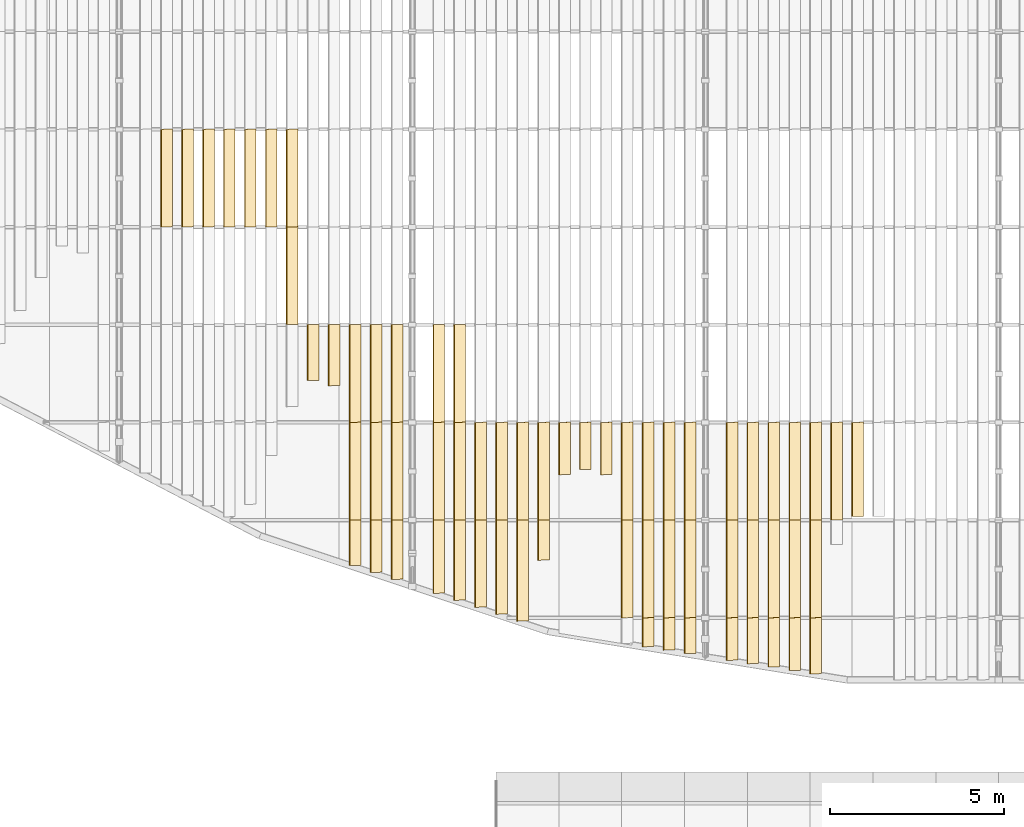
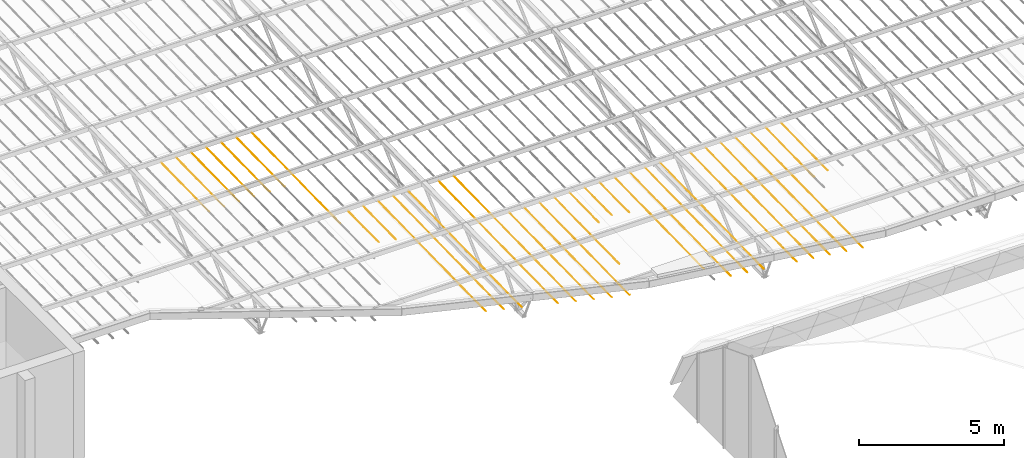
# One storey, part 116 of 129: 64 coverings.
"""IFC4 building model written with IfcOpenShell, lengths in metres."""

from ifc_helpers import new_model, si_unit, direction, frame, origin, place, context, subcontext, project, spatial, polyline, outline, extrude, material, material_profile, profile_set, type_object, element, save


model = new_model("IFC4")

# Units and contexts
model_context = context("Model", 3, precision=1e-05, world=origin(), true_north=direction((0.0, 1.0)))
body_context = subcontext(model_context, "Body", "Model", "MODEL_VIEW")
ifc_project = project(units=[si_unit("LENGTHUNIT", "METRE"), si_unit("AREAUNIT", "SQUARE_METRE"), si_unit("VOLUMEUNIT", "CUBIC_METRE"), si_unit("PLANEANGLEUNIT", "RADIAN"), si_unit("MASSUNIT", "GRAM", prefix="KILO")], contexts=[model_context])

# Site, building, storey
site_placement = place(None, origin())
site = spatial("IfcSite", under=ifc_project, at=site_placement, CompositionType="ELEMENT")
building_placement = place(site_placement, origin())
building = spatial("IfcBuilding", under=site, at=building_placement, Name="Ardhachandra Cancer Care Centre", CompositionType="ELEMENT")
storey_placement = place(building_placement, frame((0.0, 0.0, 4.5)))
storey = spatial("IfcBuildingStorey", under=building, at=storey_placement, Name="L01", CompositionType="ELEMENT", Elevation=4.5)

# Coverings
ifc_material = material(Name="Anodised aluminium", Category="aluminium")
ifc_material_profile = material_profile(ifc_material, outline(polyline([(-0.01220703125, 0.0), (0.01220703125, 0.0), (0.327392578125, -0.449951171875), (0.302978515625, -0.449951171875), (-0.01220703125, 0.0)])), Name="Louvre fin 450")
ifc_profile_set = profile_set([ifc_material_profile], Name="Anodised aluminium")
covering_type = type_object("IfcCoveringType", Name="Louvre fin 450", PredefinedType="CLADDING", material=ifc_profile_set)
for number, where, z_axis, x_axis, name in (
    (1, (54.0, 40.175048828125, 2.46337890625), (0.0, -0.999800721691, -0.019962888244), (1.0, 0.0, 0.0), "Louvre fin 16-6"),
    (2, (54.60009765625, 40.175048828125, 2.46337890625), (0.0, -0.999800721691, -0.019962888244), (1.0, 0.0, 0.0), "Louvre fin 17-6"),
    (3, (55.199951171875, 40.175048828125, 2.46337890625), (0.0, -0.999800721691, -0.019962888244), (1.0, 0.0, 0.0), "Louvre fin 18-6"),
    (4, (55.800048828125, 40.175048828125, 2.46337890625), (0.0, -0.999800721691, -0.019962888244), (1.0, 0.0, 0.0), "Louvre fin 19-6"),
    (5, (56.39990234375, 40.175048828125, 2.46337890625), (0.0, -0.999800721691, -0.019962888244), (1.0, 0.0, 0.0), "Louvre fin 20-6"),
    (6, (57.0, 40.175048828125, 2.46337890625), (0.0, -0.999800721691, -0.019962888244), (1.0, 0.0, 0.0), "Louvre fin 21-6"),
    (7, (57.60009765625, 40.175048828125, 2.46337890625), (0.0, -0.999800721691, -0.019962888244), (1.0, 0.0, 0.0), "Louvre fin 22-6"),
    (8, (57.60009765625, 37.375, 2.407470703125), (0.0, -0.999800721691, -0.019962888244), (1.0, 0.0, 0.0), "Louvre fin 22-7"),
):
    element("IfcCovering", number, at=place(storey_placement, frame(where, z_axis=z_axis, x_axis=x_axis)), inside=storey, type_object=covering_type, Name=name, PredefinedType="CLADDING", context=body_context, shape_type="SweptSolid", body=[
        extrude(outline(polyline([(-0.01220703125, 0.0), (0.01220703125, 0.0), (0.327392578125, -0.449951171875), (0.302978515625, -0.449951171875), (-0.01220703125, 0.0)])), origin(), (0.0, 0.0, 1.0), 2.800537109375),
    ])
covering_1_placement = place(storey_placement, frame((58.199951171875, 34.574951171875, 2.3515625), z_axis=(0.0, -0.999800242951, -0.019986850576), x_axis=(1.0, 0.0, 0.0)))
element("IfcCovering", 9, at=covering_1_placement, inside=storey, type_object=covering_type, Name="Louvre fin 23-8", PredefinedType="CLADDING", context=body_context, shape_type="SweptSolid", body=[
    extrude(outline(polyline([(-0.01220703125, 0.0), (0.01220703125, 0.0), (0.327392578125, -0.449951171875), (0.302978515625, -0.449951171875), (-0.01220703125, 0.0)])), origin(), (0.0, 0.0, 1.0), 1.60009765625),
])
covering_2_placement = place(storey_placement, frame((58.800048828125, 34.574951171875, 2.3515625), z_axis=(0.0, -0.999798271358, -0.02008523313), x_axis=(1.0, 0.0, 0.0)))
element("IfcCovering", 10, at=covering_2_placement, inside=storey, type_object=covering_type, Name="Louvre fin 24-8", PredefinedType="CLADDING", context=body_context, shape_type="SweptSolid", body=[
    extrude(outline(polyline([(-0.01220703125, 0.0), (0.01220703125, 0.0), (0.327392578125, -0.449951171875), (0.302978515625, -0.449951171875), (-0.01220703125, 0.0)])), origin(), (0.0, 0.0, 1.0), 1.750244140625),
])
covering_3_placement = place(storey_placement, frame((59.39990234375, 34.574951171875, 2.3515625), z_axis=(0.0, -0.999798977995, -0.02005002746), x_axis=(1.0, 0.0, 0.0)))
element("IfcCovering", 11, at=covering_3_placement, inside=storey, type_object=covering_type, Name="Louvre fin 25-8", PredefinedType="CLADDING", context=body_context, shape_type="SweptSolid", body=[
    extrude(outline(polyline([(-0.01220703125, 0.0), (0.01220703125, 0.0), (0.327392578125, -0.449951171875), (0.302978515625, -0.449951171875), (-0.01220703125, 0.0)])), origin(), (0.0, 0.0, 1.0), 2.800537109375),
])
covering_4_placement = place(storey_placement, frame((59.39990234375, 31.77490234375, 2.29541015625), z_axis=(0.0, -0.999800686946, -0.019964628297), x_axis=(1.0, 0.0, 0.0)))
element("IfcCovering", 12, at=covering_4_placement, inside=storey, type_object=covering_type, Name="Louvre fin 25-9", PredefinedType="CLADDING", context=body_context, shape_type="SweptSolid", body=[
    extrude(outline(polyline([(-0.01220703125, 0.0), (0.01220703125, 0.0), (0.327392578125, -0.449951171875), (0.302978515625, -0.449951171875), (-0.01220703125, 0.0)])), origin(), (0.0, 0.0, 1.0), 2.80029296875),
])
covering_5_placement = place(storey_placement, frame((59.39990234375, 28.97509765625, 2.239501953125), z_axis=(0.0, -0.999798178772, -0.020089841339), x_axis=(1.0, 0.0, 0.0)))
element("IfcCovering", 13, at=covering_5_placement, inside=storey, type_object=covering_type, Name="Louvre fin 25-10", PredefinedType="CLADDING", context=body_context, shape_type="SweptSolid", body=[
    extrude(outline(polyline([(-0.01220703125, 0.0), (0.01220703125, 0.0), (0.327392578125, -0.449951171875), (0.302978515625, -0.449951171875), (-0.01220703125, 0.0)])), origin(), (0.0, 0.0, 1.0), 1.30029296875),
])
covering_6_placement = place(storey_placement, frame((60.0, 34.574951171875, 2.3515625), z_axis=(0.0, -0.999798977995, -0.02005002746), x_axis=(1.0, 0.0, 0.0)))
element("IfcCovering", 14, at=covering_6_placement, inside=storey, type_object=covering_type, Name="Louvre fin 26-8", PredefinedType="CLADDING", context=body_context, shape_type="SweptSolid", body=[
    extrude(outline(polyline([(-0.01220703125, 0.0), (0.01220703125, 0.0), (0.327392578125, -0.449951171875), (0.302978515625, -0.449951171875), (-0.01220703125, 0.0)])), origin(), (0.0, 0.0, 1.0), 2.800537109375),
])
covering_7_placement = place(storey_placement, frame((60.0, 31.77490234375, 2.29541015625), z_axis=(0.0, -0.999800686946, -0.019964628297), x_axis=(1.0, 0.0, 0.0)))
element("IfcCovering", 15, at=covering_7_placement, inside=storey, type_object=covering_type, Name="Louvre fin 26-9", PredefinedType="CLADDING", context=body_context, shape_type="SweptSolid", body=[
    extrude(outline(polyline([(-0.01220703125, 0.0), (0.01220703125, 0.0), (0.327392578125, -0.449951171875), (0.302978515625, -0.449951171875), (-0.01220703125, 0.0)])), origin(), (0.0, 0.0, 1.0), 2.80029296875),
])
covering_8_placement = place(storey_placement, frame((60.0, 28.97509765625, 2.239501953125), z_axis=(0.0, -0.999799604191, -0.020018777684), x_axis=(1.0, 0.0, 0.0)))
element("IfcCovering", 16, at=covering_8_placement, inside=storey, type_object=covering_type, Name="Louvre fin 26-10", PredefinedType="CLADDING", context=body_context, shape_type="SweptSolid", body=[
    extrude(outline(polyline([(-0.01220703125, 0.0), (0.01220703125, 0.0), (0.327392578125, -0.449951171875), (0.302978515625, -0.449951171875), (-0.01220703125, 0.0)])), origin(), (0.0, 0.0, 1.0), 1.5),
])
covering_9_placement = place(storey_placement, frame((60.60009765625, 34.574951171875, 2.3515625), z_axis=(0.0, -0.999798977995, -0.02005002746), x_axis=(1.0, 0.0, 0.0)))
element("IfcCovering", 17, at=covering_9_placement, inside=storey, type_object=covering_type, Name="Louvre fin 27-8", PredefinedType="CLADDING", context=body_context, shape_type="SweptSolid", body=[
    extrude(outline(polyline([(-0.01220703125, 0.0), (0.01220703125, 0.0), (0.327392578125, -0.449951171875), (0.302978515625, -0.449951171875), (-0.01220703125, 0.0)])), origin(), (0.0, 0.0, 1.0), 2.800537109375),
])
covering_10_placement = place(storey_placement, frame((60.60009765625, 31.77490234375, 2.29541015625), z_axis=(0.0, -0.999800686946, -0.019964628297), x_axis=(1.0, 0.0, 0.0)))
element("IfcCovering", 18, at=covering_10_placement, inside=storey, type_object=covering_type, Name="Louvre fin 27-9", PredefinedType="CLADDING", context=body_context, shape_type="SweptSolid", body=[
    extrude(outline(polyline([(-0.01220703125, 0.0), (0.01220703125, 0.0), (0.327392578125, -0.449951171875), (0.302978515625, -0.449951171875), (-0.01220703125, 0.0)])), origin(), (0.0, 0.0, 1.0), 2.80029296875),
])
covering_11_placement = place(storey_placement, frame((60.60009765625, 28.97509765625, 2.239501953125), z_axis=(0.0, -0.999800633936, -0.019967282775), x_axis=(1.0, 0.0, 0.0)))
element("IfcCovering", 19, at=covering_11_placement, inside=storey, type_object=covering_type, Name="Louvre fin 27-10", PredefinedType="CLADDING", context=body_context, shape_type="SweptSolid", body=[
    extrude(outline(polyline([(-0.01220703125, 0.0), (0.01220703125, 0.0), (0.327392578125, -0.449951171875), (0.302978515625, -0.449951171875), (-0.01220703125, 0.0)])), origin(), (0.0, 0.0, 1.0), 1.699462890625),
])
covering_12_placement = place(storey_placement, frame((61.800048828125, 34.574951171875, 2.3515625), z_axis=(0.0, -0.999798977995, -0.02005002746), x_axis=(1.0, 0.0, 0.0)))
element("IfcCovering", 20, at=covering_12_placement, inside=storey, type_object=covering_type, Name="Louvre fin 29-8", PredefinedType="CLADDING", context=body_context, shape_type="SweptSolid", body=[
    extrude(outline(polyline([(-0.01220703125, 0.0), (0.01220703125, 0.0), (0.327392578125, -0.449951171875), (0.302978515625, -0.449951171875), (-0.01220703125, 0.0)])), origin(), (0.0, 0.0, 1.0), 2.800537109375),
])
covering_13_placement = place(storey_placement, frame((61.800048828125, 31.77490234375, 2.29541015625), z_axis=(0.0, -0.999800686946, -0.019964628297), x_axis=(1.0, 0.0, 0.0)))
element("IfcCovering", 21, at=covering_13_placement, inside=storey, type_object=covering_type, Name="Louvre fin 29-9", PredefinedType="CLADDING", context=body_context, shape_type="SweptSolid", body=[
    extrude(outline(polyline([(-0.01220703125, 0.0), (0.01220703125, 0.0), (0.327392578125, -0.449951171875), (0.302978515625, -0.449951171875), (-0.01220703125, 0.0)])), origin(), (0.0, 0.0, 1.0), 2.80029296875),
])
covering_14_placement = place(storey_placement, frame((61.800048828125, 28.97509765625, 2.239501953125), z_axis=(0.0, -0.999799827359, -0.02000762889), x_axis=(1.0, 0.0, 0.0)))
element("IfcCovering", 22, at=covering_14_placement, inside=storey, type_object=covering_type, Name="Louvre fin 29-10", PredefinedType="CLADDING", context=body_context, shape_type="SweptSolid", body=[
    extrude(outline(polyline([(-0.01220703125, 0.0), (0.01220703125, 0.0), (0.327392578125, -0.449951171875), (0.302978515625, -0.449951171875), (-0.01220703125, 0.0)])), origin(), (0.0, 0.0, 1.0), 2.098876953125),
])
covering_15_placement = place(storey_placement, frame((62.39990234375, 34.574951171875, 2.3515625), z_axis=(0.0, -0.999798977995, -0.02005002746), x_axis=(1.0, 0.0, 0.0)))
element("IfcCovering", 23, at=covering_15_placement, inside=storey, type_object=covering_type, Name="Louvre fin 30-8", PredefinedType="CLADDING", context=body_context, shape_type="SweptSolid", body=[
    extrude(outline(polyline([(-0.01220703125, 0.0), (0.01220703125, 0.0), (0.327392578125, -0.449951171875), (0.302978515625, -0.449951171875), (-0.01220703125, 0.0)])), origin(), (0.0, 0.0, 1.0), 2.800537109375),
])
covering_16_placement = place(storey_placement, frame((62.39990234375, 31.77490234375, 2.29541015625), z_axis=(0.0, -0.999800686946, -0.019964628297), x_axis=(1.0, 0.0, 0.0)))
element("IfcCovering", 24, at=covering_16_placement, inside=storey, type_object=covering_type, Name="Louvre fin 30-9", PredefinedType="CLADDING", context=body_context, shape_type="SweptSolid", body=[
    extrude(outline(polyline([(-0.01220703125, 0.0), (0.01220703125, 0.0), (0.327392578125, -0.449951171875), (0.302978515625, -0.449951171875), (-0.01220703125, 0.0)])), origin(), (0.0, 0.0, 1.0), 2.80029296875),
])
covering_17_placement = place(storey_placement, frame((62.39990234375, 28.97509765625, 2.239501953125), z_axis=(0.0, -0.999800611695, -0.019968396367), x_axis=(1.0, 0.0, 0.0)))
element("IfcCovering", 25, at=covering_17_placement, inside=storey, type_object=covering_type, Name="Louvre fin 30-10", PredefinedType="CLADDING", context=body_context, shape_type="SweptSolid", body=[
    extrude(outline(polyline([(-0.01220703125, 0.0), (0.01220703125, 0.0), (0.327392578125, -0.449951171875), (0.302978515625, -0.449951171875), (-0.01220703125, 0.0)])), origin(), (0.0, 0.0, 1.0), 2.298583984375),
])
covering_18_placement = place(storey_placement, frame((63.0, 31.77490234375, 2.29541015625), z_axis=(0.0, -0.999800686946, -0.019964628297), x_axis=(1.0, 0.0, 0.0)))
element("IfcCovering", 26, at=covering_18_placement, inside=storey, type_object=covering_type, Name="Louvre fin 31-9", PredefinedType="CLADDING", context=body_context, shape_type="SweptSolid", body=[
    extrude(outline(polyline([(-0.01220703125, 0.0), (0.01220703125, 0.0), (0.327392578125, -0.449951171875), (0.302978515625, -0.449951171875), (-0.01220703125, 0.0)])), origin(), (0.0, 0.0, 1.0), 2.80029296875),
])
covering_19_placement = place(storey_placement, frame((63.0, 28.97509765625, 2.239501953125), z_axis=(0.0, -0.999799277672, -0.020035078389), x_axis=(1.0, 0.0, 0.0)))
element("IfcCovering", 27, at=covering_19_placement, inside=storey, type_object=covering_type, Name="Louvre fin 31-10", PredefinedType="CLADDING", context=body_context, shape_type="SweptSolid", body=[
    extrude(outline(polyline([(-0.01220703125, 0.0), (0.01220703125, 0.0), (0.327392578125, -0.449951171875), (0.302978515625, -0.449951171875), (-0.01220703125, 0.0)])), origin(), (0.0, 0.0, 1.0), 2.498046875),
])
covering_20_placement = place(storey_placement, frame((63.60009765625, 31.77490234375, 2.29541015625), z_axis=(0.0, -0.999800686946, -0.019964628297), x_axis=(1.0, 0.0, 0.0)))
element("IfcCovering", 28, at=covering_20_placement, inside=storey, type_object=covering_type, Name="Louvre fin 32-9", PredefinedType="CLADDING", context=body_context, shape_type="SweptSolid", body=[
    extrude(outline(polyline([(-0.01220703125, 0.0), (0.01220703125, 0.0), (0.327392578125, -0.449951171875), (0.302978515625, -0.449951171875), (-0.01220703125, 0.0)])), origin(), (0.0, 0.0, 1.0), 2.80029296875),
])
covering_21_placement = place(storey_placement, frame((63.60009765625, 28.97509765625, 2.239501953125), z_axis=(0.0, -0.999799987606, -0.019999619593), x_axis=(1.0, 0.0, 0.0)))
element("IfcCovering", 29, at=covering_21_placement, inside=storey, type_object=covering_type, Name="Louvre fin 32-10", PredefinedType="CLADDING", context=body_context, shape_type="SweptSolid", body=[
    extrude(outline(polyline([(-0.01220703125, 0.0), (0.01220703125, 0.0), (0.327392578125, -0.449951171875), (0.302978515625, -0.449951171875), (-0.01220703125, 0.0)])), origin(), (0.0, 0.0, 1.0), 2.69775390625),
])
covering_22_placement = place(storey_placement, frame((64.199951171875, 31.77490234375, 2.29541015625), z_axis=(0.0, -0.999800686946, -0.019964628297), x_axis=(1.0, 0.0, 0.0)))
element("IfcCovering", 30, at=covering_22_placement, inside=storey, type_object=covering_type, Name="Louvre fin 33-9", PredefinedType="CLADDING", context=body_context, shape_type="SweptSolid", body=[
    extrude(outline(polyline([(-0.01220703125, 0.0), (0.01220703125, 0.0), (0.327392578125, -0.449951171875), (0.302978515625, -0.449951171875), (-0.01220703125, 0.0)])), origin(), (0.0, 0.0, 1.0), 2.80029296875),
])
covering_23_placement = place(storey_placement, frame((64.199951171875, 28.97509765625, 2.239501953125), z_axis=(0.0, -0.999800565047, -0.019970731893), x_axis=(1.0, 0.0, 0.0)))
element("IfcCovering", 31, at=covering_23_placement, inside=storey, type_object=covering_type, Name="Louvre fin 33-10", PredefinedType="CLADDING", context=body_context, shape_type="SweptSolid", body=[
    extrude(outline(polyline([(-0.01220703125, 0.0), (0.01220703125, 0.0), (0.327392578125, -0.449951171875), (0.302978515625, -0.449951171875), (-0.01220703125, 0.0)])), origin(), (0.0, 0.0, 1.0), 2.897216796875),
])
covering_24_placement = place(storey_placement, frame((64.800048828125, 31.77490234375, 2.29541015625), z_axis=(0.0, -0.999800686946, -0.019964628297), x_axis=(1.0, 0.0, 0.0)))
element("IfcCovering", 32, at=covering_24_placement, inside=storey, type_object=covering_type, Name="Louvre fin 34-9", PredefinedType="CLADDING", context=body_context, shape_type="SweptSolid", body=[
    extrude(outline(polyline([(-0.01220703125, 0.0), (0.01220703125, 0.0), (0.327392578125, -0.449951171875), (0.302978515625, -0.449951171875), (-0.01220703125, 0.0)])), origin(), (0.0, 0.0, 1.0), 2.80029296875),
])
covering_25_placement = place(storey_placement, frame((64.800048828125, 28.97509765625, 2.239501953125), z_axis=(0.0, -0.999800992316, -0.019949329925), x_axis=(1.0, 0.0, 0.0)))
element("IfcCovering", 33, at=covering_25_placement, inside=storey, type_object=covering_type, Name="Louvre fin 34-10", PredefinedType="CLADDING", context=body_context, shape_type="SweptSolid", body=[
    extrude(outline(polyline([(-0.01220703125, 0.0), (0.01220703125, 0.0), (0.327392578125, -0.449951171875), (0.302978515625, -0.449951171875), (-0.01220703125, 0.0)])), origin(), (0.0, 0.0, 1.0), 1.150390625),
])
covering_26_placement = place(storey_placement, frame((65.39990234375, 31.77490234375, 2.29541015625), z_axis=(0.0, -0.999799669399, -0.020015520725), x_axis=(1.0, 0.0, 0.0)))
element("IfcCovering", 34, at=covering_26_placement, inside=storey, type_object=covering_type, Name="Louvre fin 35-9", PredefinedType="CLADDING", context=body_context, shape_type="SweptSolid", body=[
    extrude(outline(polyline([(-0.01220703125, 0.0), (0.01220703125, 0.0), (0.327392578125, -0.449951171875), (0.302978515625, -0.449951171875), (-0.01220703125, 0.0)])), origin(), (0.0, 0.0, 1.0), 1.500244140625),
])
covering_27_placement = place(storey_placement, frame((66.0, 31.77490234375, 2.29541015625), z_axis=(0.0, -0.999802151258, -0.019891162351), x_axis=(1.0, 0.0, 0.0)))
element("IfcCovering", 35, at=covering_27_placement, inside=storey, type_object=covering_type, Name="Louvre fin 36-9", PredefinedType="CLADDING", context=body_context, shape_type="SweptSolid", body=[
    extrude(outline(polyline([(-0.01220703125, 0.0), (0.01220703125, 0.0), (0.327392578125, -0.449951171875), (0.302978515625, -0.449951171875), (-0.01220703125, 0.0)])), origin(), (0.0, 0.0, 1.0), 1.35009765625),
])
covering_28_placement = place(storey_placement, frame((66.60009765625, 31.77490234375, 2.29541015625), z_axis=(0.0, -0.999799669399, -0.020015520725), x_axis=(1.0, 0.0, 0.0)))
element("IfcCovering", 36, at=covering_28_placement, inside=storey, type_object=covering_type, Name="Louvre fin 37-9", PredefinedType="CLADDING", context=body_context, shape_type="SweptSolid", body=[
    extrude(outline(polyline([(-0.01220703125, 0.0), (0.01220703125, 0.0), (0.327392578125, -0.449951171875), (0.302978515625, -0.449951171875), (-0.01220703125, 0.0)])), origin(), (0.0, 0.0, 1.0), 1.500244140625),
])
covering_29_placement = place(storey_placement, frame((67.199951171875, 31.77490234375, 2.29541015625), z_axis=(0.0, -0.999800686946, -0.019964628297), x_axis=(1.0, 0.0, 0.0)))
element("IfcCovering", 37, at=covering_29_placement, inside=storey, type_object=covering_type, Name="Louvre fin 38-9", PredefinedType="CLADDING", context=body_context, shape_type="SweptSolid", body=[
    extrude(outline(polyline([(-0.01220703125, 0.0), (0.01220703125, 0.0), (0.327392578125, -0.449951171875), (0.302978515625, -0.449951171875), (-0.01220703125, 0.0)])), origin(), (0.0, 0.0, 1.0), 2.80029296875),
])
covering_30_placement = place(storey_placement, frame((67.199951171875, 28.97509765625, 2.239501953125), z_axis=(0.0, -0.999800721691, -0.019962888244), x_axis=(1.0, 0.0, 0.0)))
element("IfcCovering", 38, at=covering_30_placement, inside=storey, type_object=covering_type, Name="Louvre fin 38-10", PredefinedType="CLADDING", context=body_context, shape_type="SweptSolid", body=[
    extrude(outline(polyline([(-0.01220703125, 0.0), (0.01220703125, 0.0), (0.327392578125, -0.449951171875), (0.302978515625, -0.449951171875), (-0.01220703125, 0.0)])), origin(), (0.0, 0.0, 1.0), 2.800537109375),
])
covering_31_placement = place(storey_placement, frame((67.800048828125, 31.77490234375, 2.29541015625), z_axis=(0.0, -0.999800686946, -0.019964628297), x_axis=(1.0, 0.0, 0.0)))
element("IfcCovering", 39, at=covering_31_placement, inside=storey, type_object=covering_type, Name="Louvre fin 39-9", PredefinedType="CLADDING", context=body_context, shape_type="SweptSolid", body=[
    extrude(outline(polyline([(-0.01220703125, 0.0), (0.01220703125, 0.0), (0.327392578125, -0.449951171875), (0.302978515625, -0.449951171875), (-0.01220703125, 0.0)])), origin(), (0.0, 0.0, 1.0), 2.80029296875),
])
covering_32_placement = place(storey_placement, frame((67.800048828125, 28.97509765625, 2.239501953125), z_axis=(0.0, -0.999800721691, -0.019962888244), x_axis=(1.0, 0.0, 0.0)))
element("IfcCovering", 40, at=covering_32_placement, inside=storey, type_object=covering_type, Name="Louvre fin 39-10", PredefinedType="CLADDING", context=body_context, shape_type="SweptSolid", body=[
    extrude(outline(polyline([(-0.01220703125, 0.0), (0.01220703125, 0.0), (0.327392578125, -0.449951171875), (0.302978515625, -0.449951171875), (-0.01220703125, 0.0)])), origin(), (0.0, 0.0, 1.0), 2.800537109375),
])
covering_33_placement = place(storey_placement, frame((67.800048828125, 26.175048828125, 2.18359375), z_axis=(0.0, -0.999799942352, -0.020001881753), x_axis=(1.0, 0.0, 0.0)))
element("IfcCovering", 41, at=covering_33_placement, inside=storey, type_object=covering_type, Name="Louvre fin 39-11", PredefinedType="CLADDING", context=body_context, shape_type="SweptSolid", body=[
    extrude(outline(polyline([(-0.01220703125, 0.0), (0.01220703125, 0.0), (0.327392578125, -0.449951171875), (0.302978515625, -0.449951171875), (-0.01220703125, 0.0)])), origin(), (0.0, 0.0, 1.0), 0.830078125),
])
covering_34_placement = place(storey_placement, frame((68.39990234375, 31.77490234375, 2.29541015625), z_axis=(0.0, -0.999800686946, -0.019964628297), x_axis=(1.0, 0.0, 0.0)))
element("IfcCovering", 42, at=covering_34_placement, inside=storey, type_object=covering_type, Name="Louvre fin 40-9", PredefinedType="CLADDING", context=body_context, shape_type="SweptSolid", body=[
    extrude(outline(polyline([(-0.01220703125, 0.0), (0.01220703125, 0.0), (0.327392578125, -0.449951171875), (0.302978515625, -0.449951171875), (-0.01220703125, 0.0)])), origin(), (0.0, 0.0, 1.0), 2.80029296875),
])
covering_35_placement = place(storey_placement, frame((68.39990234375, 28.97509765625, 2.239501953125), z_axis=(0.0, -0.999800721691, -0.019962888244), x_axis=(1.0, 0.0, 0.0)))
element("IfcCovering", 43, at=covering_35_placement, inside=storey, type_object=covering_type, Name="Louvre fin 40-10", PredefinedType="CLADDING", context=body_context, shape_type="SweptSolid", body=[
    extrude(outline(polyline([(-0.01220703125, 0.0), (0.01220703125, 0.0), (0.327392578125, -0.449951171875), (0.302978515625, -0.449951171875), (-0.01220703125, 0.0)])), origin(), (0.0, 0.0, 1.0), 2.800537109375),
])
covering_36_placement = place(storey_placement, frame((68.39990234375, 26.175048828125, 2.18359375), z_axis=(0.0, -0.999799744006, -0.020011793665), x_axis=(1.0, 0.0, 0.0)))
element("IfcCovering", 44, at=covering_36_placement, inside=storey, type_object=covering_type, Name="Louvre fin 40-11", PredefinedType="CLADDING", context=body_context, shape_type="SweptSolid", body=[
    extrude(outline(polyline([(-0.01220703125, 0.0), (0.01220703125, 0.0), (0.327392578125, -0.449951171875), (0.302978515625, -0.449951171875), (-0.01220703125, 0.0)])), origin(), (0.0, 0.0, 1.0), 0.92724609375),
])
covering_37_placement = place(storey_placement, frame((69.0, 31.77490234375, 2.29541015625), z_axis=(0.0, -0.999800686946, -0.019964628297), x_axis=(1.0, 0.0, 0.0)))
element("IfcCovering", 45, at=covering_37_placement, inside=storey, type_object=covering_type, Name="Louvre fin 41-9", PredefinedType="CLADDING", context=body_context, shape_type="SweptSolid", body=[
    extrude(outline(polyline([(-0.01220703125, 0.0), (0.01220703125, 0.0), (0.327392578125, -0.449951171875), (0.302978515625, -0.449951171875), (-0.01220703125, 0.0)])), origin(), (0.0, 0.0, 1.0), 2.80029296875),
])
covering_38_placement = place(storey_placement, frame((69.0, 28.97509765625, 2.239501953125), z_axis=(0.0, -0.999800721691, -0.019962888244), x_axis=(1.0, 0.0, 0.0)))
element("IfcCovering", 46, at=covering_38_placement, inside=storey, type_object=covering_type, Name="Louvre fin 41-10", PredefinedType="CLADDING", context=body_context, shape_type="SweptSolid", body=[
    extrude(outline(polyline([(-0.01220703125, 0.0), (0.01220703125, 0.0), (0.327392578125, -0.449951171875), (0.302978515625, -0.449951171875), (-0.01220703125, 0.0)])), origin(), (0.0, 0.0, 1.0), 2.800537109375),
])
covering_39_placement = place(storey_placement, frame((69.0, 26.175048828125, 2.18359375), z_axis=(0.0, -0.999799583224, -0.020019824789), x_axis=(1.0, 0.0, 0.0)))
element("IfcCovering", 47, at=covering_39_placement, inside=storey, type_object=covering_type, Name="Louvre fin 41-11", PredefinedType="CLADDING", context=body_context, shape_type="SweptSolid", body=[
    extrude(outline(polyline([(-0.01220703125, 0.0), (0.01220703125, 0.0), (0.327392578125, -0.449951171875), (0.302978515625, -0.449951171875), (-0.01220703125, 0.0)])), origin(), (0.0, 0.0, 1.0), 1.0244140625),
])
covering_40_placement = place(storey_placement, frame((70.199951171875, 31.77490234375, 2.29541015625), z_axis=(0.0, -0.999800686946, -0.019964628297), x_axis=(1.0, 0.0, 0.0)))
element("IfcCovering", 48, at=covering_40_placement, inside=storey, type_object=covering_type, Name="Louvre fin 43-9", PredefinedType="CLADDING", context=body_context, shape_type="SweptSolid", body=[
    extrude(outline(polyline([(-0.01220703125, 0.0), (0.01220703125, 0.0), (0.327392578125, -0.449951171875), (0.302978515625, -0.449951171875), (-0.01220703125, 0.0)])), origin(), (0.0, 0.0, 1.0), 2.80029296875),
])
covering_41_placement = place(storey_placement, frame((70.199951171875, 28.97509765625, 2.239501953125), z_axis=(0.0, -0.999800721691, -0.019962888244), x_axis=(1.0, 0.0, 0.0)))
element("IfcCovering", 49, at=covering_41_placement, inside=storey, type_object=covering_type, Name="Louvre fin 43-10", PredefinedType="CLADDING", context=body_context, shape_type="SweptSolid", body=[
    extrude(outline(polyline([(-0.01220703125, 0.0), (0.01220703125, 0.0), (0.327392578125, -0.449951171875), (0.302978515625, -0.449951171875), (-0.01220703125, 0.0)])), origin(), (0.0, 0.0, 1.0), 2.800537109375),
])
covering_42_placement = place(storey_placement, frame((70.199951171875, 26.175048828125, 2.18359375), z_axis=(0.0, -0.999799338465, -0.020032044449), x_axis=(1.0, 0.0, 0.0)))
element("IfcCovering", 50, at=covering_42_placement, inside=storey, type_object=covering_type, Name="Louvre fin 43-11", PredefinedType="CLADDING", context=body_context, shape_type="SweptSolid", body=[
    extrude(outline(polyline([(-0.01220703125, 0.0), (0.01220703125, 0.0), (0.327392578125, -0.449951171875), (0.302978515625, -0.449951171875), (-0.01220703125, 0.0)])), origin(), (0.0, 0.0, 1.0), 1.21875),
])
covering_43_placement = place(storey_placement, frame((70.800048828125, 31.77490234375, 2.29541015625), z_axis=(0.0, -0.999800686946, -0.019964628297), x_axis=(1.0, 0.0, 0.0)))
element("IfcCovering", 51, at=covering_43_placement, inside=storey, type_object=covering_type, Name="Louvre fin 44-9", PredefinedType="CLADDING", context=body_context, shape_type="SweptSolid", body=[
    extrude(outline(polyline([(-0.01220703125, 0.0), (0.01220703125, 0.0), (0.327392578125, -0.449951171875), (0.302978515625, -0.449951171875), (-0.01220703125, 0.0)])), origin(), (0.0, 0.0, 1.0), 2.80029296875),
])
covering_44_placement = place(storey_placement, frame((70.800048828125, 28.97509765625, 2.239501953125), z_axis=(0.0, -0.999800721691, -0.019962888244), x_axis=(1.0, 0.0, 0.0)))
element("IfcCovering", 52, at=covering_44_placement, inside=storey, type_object=covering_type, Name="Louvre fin 44-10", PredefinedType="CLADDING", context=body_context, shape_type="SweptSolid", body=[
    extrude(outline(polyline([(-0.01220703125, 0.0), (0.01220703125, 0.0), (0.327392578125, -0.449951171875), (0.302978515625, -0.449951171875), (-0.01220703125, 0.0)])), origin(), (0.0, 0.0, 1.0), 2.800537109375),
])
covering_45_placement = place(storey_placement, frame((70.800048828125, 26.175048828125, 2.18359375), z_axis=(0.0, -0.99979924316, -0.020036800568), x_axis=(1.0, 0.0, 0.0)))
element("IfcCovering", 53, at=covering_45_placement, inside=storey, type_object=covering_type, Name="Louvre fin 44-11", PredefinedType="CLADDING", context=body_context, shape_type="SweptSolid", body=[
    extrude(outline(polyline([(-0.01220703125, 0.0), (0.01220703125, 0.0), (0.327392578125, -0.449951171875), (0.302978515625, -0.449951171875), (-0.01220703125, 0.0)])), origin(), (0.0, 0.0, 1.0), 1.31591796875),
])
covering_46_placement = place(storey_placement, frame((71.39990234375, 31.77490234375, 2.29541015625), z_axis=(0.0, -0.999800686946, -0.019964628297), x_axis=(1.0, 0.0, 0.0)))
element("IfcCovering", 54, at=covering_46_placement, inside=storey, type_object=covering_type, Name="Louvre fin 45-9", PredefinedType="CLADDING", context=body_context, shape_type="SweptSolid", body=[
    extrude(outline(polyline([(-0.01220703125, 0.0), (0.01220703125, 0.0), (0.327392578125, -0.449951171875), (0.302978515625, -0.449951171875), (-0.01220703125, 0.0)])), origin(), (0.0, 0.0, 1.0), 2.80029296875),
])
covering_47_placement = place(storey_placement, frame((71.39990234375, 28.97509765625, 2.239501953125), z_axis=(0.0, -0.999800721691, -0.019962888244), x_axis=(1.0, 0.0, 0.0)))
element("IfcCovering", 55, at=covering_47_placement, inside=storey, type_object=covering_type, Name="Louvre fin 45-10", PredefinedType="CLADDING", context=body_context, shape_type="SweptSolid", body=[
    extrude(outline(polyline([(-0.01220703125, 0.0), (0.01220703125, 0.0), (0.327392578125, -0.449951171875), (0.302978515625, -0.449951171875), (-0.01220703125, 0.0)])), origin(), (0.0, 0.0, 1.0), 2.800537109375),
])
covering_48_placement = place(storey_placement, frame((71.39990234375, 26.175048828125, 2.18359375), z_axis=(0.0, -0.999799160946, -0.020040902483), x_axis=(1.0, 0.0, 0.0)))
element("IfcCovering", 56, at=covering_48_placement, inside=storey, type_object=covering_type, Name="Louvre fin 45-11", PredefinedType="CLADDING", context=body_context, shape_type="SweptSolid", body=[
    extrude(outline(polyline([(-0.01220703125, 0.0), (0.01220703125, 0.0), (0.327392578125, -0.449951171875), (0.302978515625, -0.449951171875), (-0.01220703125, 0.0)])), origin(), (0.0, 0.0, 1.0), 1.4130859375),
])
covering_49_placement = place(storey_placement, frame((72.0, 31.77490234375, 2.29541015625), z_axis=(0.0, -0.999800686946, -0.019964628297), x_axis=(1.0, 0.0, 0.0)))
element("IfcCovering", 57, at=covering_49_placement, inside=storey, type_object=covering_type, Name="Louvre fin 46-9", PredefinedType="CLADDING", context=body_context, shape_type="SweptSolid", body=[
    extrude(outline(polyline([(-0.01220703125, 0.0), (0.01220703125, 0.0), (0.327392578125, -0.449951171875), (0.302978515625, -0.449951171875), (-0.01220703125, 0.0)])), origin(), (0.0, 0.0, 1.0), 2.80029296875),
])
covering_50_placement = place(storey_placement, frame((72.0, 28.97509765625, 2.239501953125), z_axis=(0.0, -0.999800721691, -0.019962888244), x_axis=(1.0, 0.0, 0.0)))
element("IfcCovering", 58, at=covering_50_placement, inside=storey, type_object=covering_type, Name="Louvre fin 46-10", PredefinedType="CLADDING", context=body_context, shape_type="SweptSolid", body=[
    extrude(outline(polyline([(-0.01220703125, 0.0), (0.01220703125, 0.0), (0.327392578125, -0.449951171875), (0.302978515625, -0.449951171875), (-0.01220703125, 0.0)])), origin(), (0.0, 0.0, 1.0), 2.800537109375),
])
covering_51_placement = place(storey_placement, frame((72.0, 26.175048828125, 2.18359375), z_axis=(0.0, -0.999799089299, -0.020044476487), x_axis=(1.0, 0.0, 0.0)))
element("IfcCovering", 59, at=covering_51_placement, inside=storey, type_object=covering_type, Name="Louvre fin 46-11", PredefinedType="CLADDING", context=body_context, shape_type="SweptSolid", body=[
    extrude(outline(polyline([(-0.01220703125, 0.0), (0.01220703125, 0.0), (0.327392578125, -0.449951171875), (0.302978515625, -0.449951171875), (-0.01220703125, 0.0)])), origin(), (0.0, 0.0, 1.0), 1.51025390625),
])
covering_52_placement = place(storey_placement, frame((72.60009765625, 31.77490234375, 2.29541015625), z_axis=(0.0, -0.999800686946, -0.019964628297), x_axis=(1.0, 0.0, 0.0)))
element("IfcCovering", 60, at=covering_52_placement, inside=storey, type_object=covering_type, Name="Louvre fin 47-9", PredefinedType="CLADDING", context=body_context, shape_type="SweptSolid", body=[
    extrude(outline(polyline([(-0.01220703125, 0.0), (0.01220703125, 0.0), (0.327392578125, -0.449951171875), (0.302978515625, -0.449951171875), (-0.01220703125, 0.0)])), origin(), (0.0, 0.0, 1.0), 2.80029296875),
])
covering_53_placement = place(storey_placement, frame((72.60009765625, 28.97509765625, 2.239501953125), z_axis=(0.0, -0.999800721691, -0.019962888244), x_axis=(1.0, 0.0, 0.0)))
element("IfcCovering", 61, at=covering_53_placement, inside=storey, type_object=covering_type, Name="Louvre fin 47-10", PredefinedType="CLADDING", context=body_context, shape_type="SweptSolid", body=[
    extrude(outline(polyline([(-0.01220703125, 0.0), (0.01220703125, 0.0), (0.327392578125, -0.449951171875), (0.302978515625, -0.449951171875), (-0.01220703125, 0.0)])), origin(), (0.0, 0.0, 1.0), 2.800537109375),
])
covering_54_placement = place(storey_placement, frame((72.60009765625, 26.175048828125, 2.18359375), z_axis=(0.0, -0.999799026304, -0.020047618331), x_axis=(1.0, 0.0, 0.0)))
element("IfcCovering", 62, at=covering_54_placement, inside=storey, type_object=covering_type, Name="Louvre fin 47-11", PredefinedType="CLADDING", context=body_context, shape_type="SweptSolid", body=[
    extrude(outline(polyline([(-0.01220703125, 0.0), (0.01220703125, 0.0), (0.327392578125, -0.449951171875), (0.302978515625, -0.449951171875), (-0.01220703125, 0.0)])), origin(), (0.0, 0.0, 1.0), 1.607421875),
])
covering_55_placement = place(storey_placement, frame((73.199951171875, 31.77490234375, 2.29541015625), z_axis=(0.0, -0.999800686946, -0.019964628297), x_axis=(1.0, 0.0, 0.0)))
element("IfcCovering", 63, at=covering_55_placement, inside=storey, type_object=covering_type, Name="Louvre fin 48-9", PredefinedType="CLADDING", context=body_context, shape_type="SweptSolid", body=[
    extrude(outline(polyline([(-0.01220703125, 0.0), (0.01220703125, 0.0), (0.327392578125, -0.449951171875), (0.302978515625, -0.449951171875), (-0.01220703125, 0.0)])), origin(), (0.0, 0.0, 1.0), 2.80029296875),
])
covering_56_placement = place(storey_placement, frame((73.800048828125, 31.77490234375, 2.29541015625), z_axis=(0.0, -0.999800385179, -0.019979734617), x_axis=(1.0, 0.0, 0.0)))
element("IfcCovering", 64, at=covering_56_placement, inside=storey, type_object=covering_type, Name="Louvre fin 49-9", PredefinedType="CLADDING", context=body_context, shape_type="SweptSolid", body=[
    extrude(outline(polyline([(-0.01220703125, 0.0), (0.01220703125, 0.0), (0.327392578125, -0.449951171875), (0.302978515625, -0.449951171875), (-0.01220703125, 0.0)])), origin(), (0.0, 0.0, 1.0), 2.700439453125),
])

save(model, "model.ifc")
